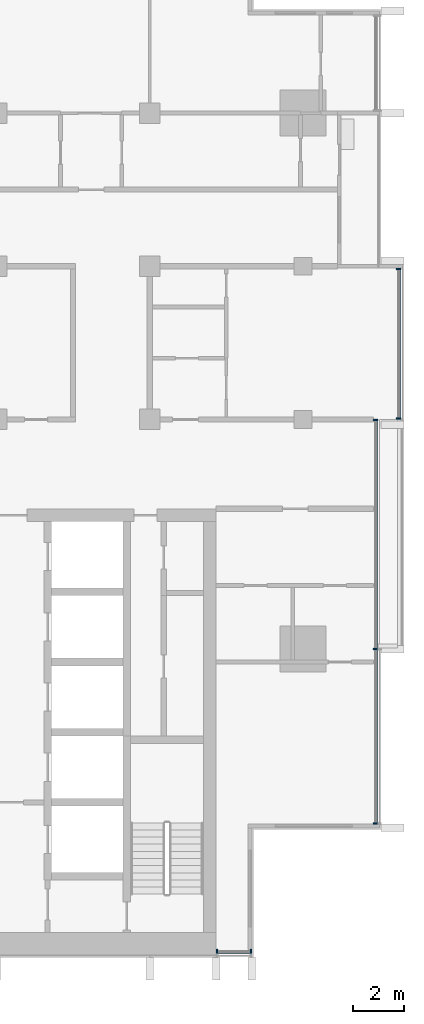
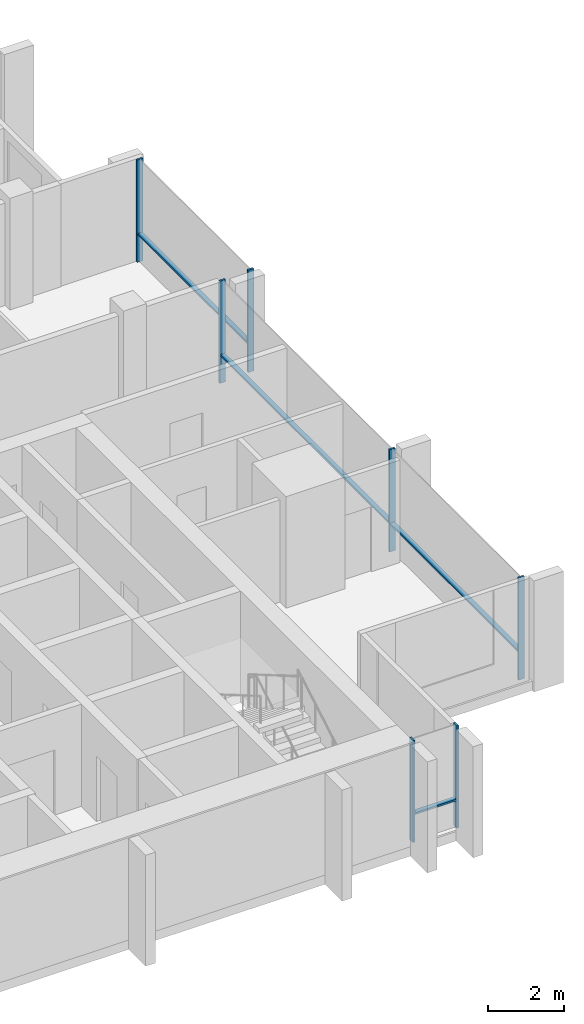
# One storey, part 3 of 16: 11 members, 3 elements without a shape of their own.
"""IFC4 building model written with IfcOpenShell, lengths in metres."""

from ifc_helpers import new_model, si_unit, direction, frame, origin, origin_2d, place, context, subcontext, project, spatial, rectangle, extrude, material, material_profile, profile_set, type_object, element, aggregate, save


model = new_model("IFC4")

# Units and contexts
model_context = context("Model", 3, precision=1e-05, world=origin(), true_north=direction((0.0, 1.0)))
body_context = subcontext(model_context, "Body", "Model", "MODEL_VIEW")
ifc_project = project(units=[si_unit("LENGTHUNIT", "METRE"), si_unit("AREAUNIT", "SQUARE_METRE"), si_unit("VOLUMEUNIT", "CUBIC_METRE"), si_unit("PLANEANGLEUNIT", "RADIAN"), si_unit("MASSUNIT", "GRAM", prefix="KILO")], contexts=[model_context])

# Site, building, storey
site_placement = place(None, origin())
site = spatial("IfcSite", under=ifc_project, at=site_placement, CompositionType="ELEMENT")
building_placement = place(site_placement, origin())
building = spatial("IfcBuilding", under=site, at=building_placement, Name="Finial Court Residences", CompositionType="ELEMENT")
storey_placement = place(building_placement, frame((0.0, 0.0, 280.699951171875)))
storey = spatial("IfcBuildingStorey", under=building, at=storey_placement, Name="L71", CompositionType="ELEMENT", Elevation=280.699951171875)

# Curtain wall, members
ifc_material = material(Name="Bronze anodised aluminium", Category="aluminium")
curtain_wall_type = type_object("IfcCurtainWallType", Name="Unitised curtain wall, upper zones", PredefinedType="NOTDEFINED", material=ifc_material)
curtain_wall_1_placement = place(storey_placement, origin())
curtain_wall_1 = element("IfcCurtainWall", 1, at=curtain_wall_1_placement, inside=storey, type_object=curtain_wall_type, Name="E-L71-CW-E4", PredefinedType="NOTDEFINED")
ifc_material_profile_1 = material_profile(ifc_material, rectangle(XDim=0.175048828125, YDim=0.06005859375, at=origin_2d()), Name="CW2 mullion 60 x 175")
ifc_profile_set_1 = profile_set([ifc_material_profile_1], Name="Bronze anodised aluminium")
member_type_1 = type_object("IfcMemberType", Name="CW2 mullion 60 x 175", PredefinedType="MULLION", material=ifc_profile_set_1)
member_1_placement = place(storey_placement, frame((19.35009765625, -20.320068359375, 0.0), z_axis=(0.0, 0.0, 1.0), x_axis=(-1.0, 0.0, 0.0)))
member_1 = element("IfcMember", 2, at=member_1_placement, type_object=member_type_1, Name="CW2 mullion 1", PredefinedType="MULLION", context=body_context, shape_type="SweptSolid", body=[
    extrude(rectangle(XDim=0.175048828125, YDim=0.06005859375, at=origin_2d()), origin(), (0.0, 0.0, 1.0), 3.300048828125),
])
member_2_placement = place(storey_placement, frame((19.35009765625, -13.5, 0.0), z_axis=(0.0, 0.0, 1.0), x_axis=(-1.0, 0.0, 0.0)))
member_2 = element("IfcMember", 3, at=member_2_placement, type_object=member_type_1, Name="CW2 mullion 2", PredefinedType="MULLION", context=body_context, shape_type="SweptSolid", body=[
    extrude(rectangle(XDim=0.175048828125, YDim=0.06005859375, at=origin_2d()), origin(), (0.0, 0.0, 1.0), 3.300048828125),
])
member_3_placement = place(storey_placement, frame((19.35009765625, -4.530029296875, 0.0), z_axis=(0.0, 0.0, 1.0), x_axis=(-1.0, 0.0, 0.0)))
member_3 = element("IfcMember", 4, at=member_3_placement, type_object=member_type_1, Name="CW2 mullion 3", PredefinedType="MULLION", context=body_context, shape_type="SweptSolid", body=[
    extrude(rectangle(XDim=0.175048828125, YDim=0.06005859375, at=origin_2d()), origin(), (0.0, 0.0, 1.0), 3.300048828125),
])

curtain_wall_2_placement = place(storey_placement, origin())
curtain_wall_2 = element("IfcCurtainWall", 5, at=curtain_wall_2_placement, inside=storey, type_object=curtain_wall_type, Name="E-L71-CW-E5", PredefinedType="NOTDEFINED")
member_4_placement = place(storey_placement, frame((20.25, -4.469970703125, 0.0), z_axis=(0.0, 0.0, 1.0), x_axis=(-1.0, 0.0, 0.0)))
member_4 = element("IfcMember", 6, at=member_4_placement, type_object=member_type_1, Name="CW2 mullion 1", PredefinedType="MULLION", context=body_context, shape_type="SweptSolid", body=[
    extrude(rectangle(XDim=0.175048828125, YDim=0.06005859375, at=origin_2d()), origin(), (0.0, 0.0, 1.0), 3.300048828125),
])
member_5_placement = place(storey_placement, frame((20.25, 1.39501953125, 0.0), z_axis=(0.0, 0.0, 1.0), x_axis=(-1.0, 0.0, 0.0)))
member_5 = element("IfcMember", 7, at=member_5_placement, type_object=member_type_1, Name="CW2 mullion 2", PredefinedType="MULLION", context=body_context, shape_type="SweptSolid", body=[
    extrude(rectangle(XDim=0.175048828125, YDim=0.06005859375, at=origin_2d()), origin(), (0.0, 0.0, 1.0), 3.300048828125),
])

curtain_wall_3_placement = place(storey_placement, origin())
curtain_wall_3 = element("IfcCurtainWall", 8, at=curtain_wall_3_placement, inside=storey, type_object=curtain_wall_type, Name="E-L71-CW-S8", PredefinedType="NOTDEFINED")
member_6_placement = place(storey_placement, frame((13.1298828125, -25.35009765625, 0.0), z_axis=(0.0, 0.0, 1.0), x_axis=(0.0, 1.0, 0.0)))
member_6 = element("IfcMember", 9, at=member_6_placement, type_object=member_type_1, Name="CW2 mullion 1", PredefinedType="MULLION", context=body_context, shape_type="SweptSolid", body=[
    extrude(rectangle(XDim=0.175048828125, YDim=0.06005859375, at=origin_2d()), origin(), (0.0, 0.0, 1.0), 3.300048828125),
])
member_7_placement = place(storey_placement, frame((14.469970703125, -25.35009765625, 0.0), z_axis=(0.0, 0.0, 1.0), x_axis=(0.0, 1.0, 0.0)))
member_7 = element("IfcMember", 10, at=member_7_placement, type_object=member_type_1, Name="CW2 mullion 2", PredefinedType="MULLION", context=body_context, shape_type="SweptSolid", body=[
    extrude(rectangle(XDim=0.175048828125, YDim=0.06005859375, at=origin_2d()), origin(), (0.0, 0.0, 1.0), 3.300048828125),
])

# Member
ifc_material_profile_2 = material_profile(ifc_material, rectangle(XDim=0.139892578125, YDim=0.06005859375, at=origin_2d()), Name="CW2 transom 60 x 140")
ifc_profile_set_2 = profile_set([ifc_material_profile_2], Name="Bronze anodised aluminium")
member_type_2 = type_object("IfcMemberType", Name="CW2 transom 60 x 140", PredefinedType="USERDEFINED", material=ifc_profile_set_2)
member_8_placement = place(storey_placement, frame((19.35009765625, -20.2900390625, 0.900146484375), z_axis=(0.0, 1.0, 0.0), x_axis=(-1.0, 0.0, 0.0)))
member_8 = element("IfcMember", 11, at=member_8_placement, type_object=member_type_2, Name="CW2 transom 1.1", ObjectType="TRANSOM", PredefinedType="USERDEFINED", context=body_context, shape_type="SweptSolid", body=[
    extrude(rectangle(XDim=0.139892578125, YDim=0.06005859375, at=origin_2d()), origin(), (0.0, 0.0, 1.0), 6.760009765625),
])

member_9_placement = place(storey_placement, frame((19.35009765625, -13.469970703125, 0.900146484375), z_axis=(0.0, 1.0, 0.0), x_axis=(-1.0, 0.0, 0.0)))
member_9 = element("IfcMember", 12, at=member_9_placement, type_object=member_type_2, Name="CW2 transom 2.1", ObjectType="TRANSOM", PredefinedType="USERDEFINED", context=body_context, shape_type="SweptSolid", body=[
    extrude(rectangle(XDim=0.139892578125, YDim=0.06005859375, at=origin_2d()), origin(), (0.0, 0.0, 1.0), 8.909912109375),
])

aggregate(curtain_wall_1, [member_1, member_2, member_3, member_8, member_9])

member_10_placement = place(storey_placement, frame((20.25, -4.43994140625, 0.900146484375), z_axis=(0.0, 1.0, 0.0), x_axis=(-1.0, 0.0, 0.0)))
member_10 = element("IfcMember", 13, at=member_10_placement, type_object=member_type_2, Name="CW2 transom 1.1", ObjectType="TRANSOM", PredefinedType="USERDEFINED", context=body_context, shape_type="SweptSolid", body=[
    extrude(rectangle(XDim=0.139892578125, YDim=0.06005859375, at=origin_2d()), origin(), (0.0, 0.0, 1.0), 5.804931640625),
])

aggregate(curtain_wall_2, [member_4, member_5, member_10])

member_11_placement = place(storey_placement, frame((13.159912109375, -25.35009765625, 0.900146484375), z_axis=(1.0, 0.0, 0.0), x_axis=(0.0, 1.0, 0.0)))
member_11 = element("IfcMember", 14, at=member_11_placement, type_object=member_type_2, Name="CW2 transom 1.1", ObjectType="TRANSOM", PredefinedType="USERDEFINED", context=body_context, shape_type="SweptSolid", body=[
    extrude(rectangle(XDim=0.139892578125, YDim=0.06005859375, at=origin_2d()), origin(), (0.0, 0.0, 1.0), 1.280029296875),
])

aggregate(curtain_wall_3, [member_6, member_7, member_11])

save(model, "model.ifc")
